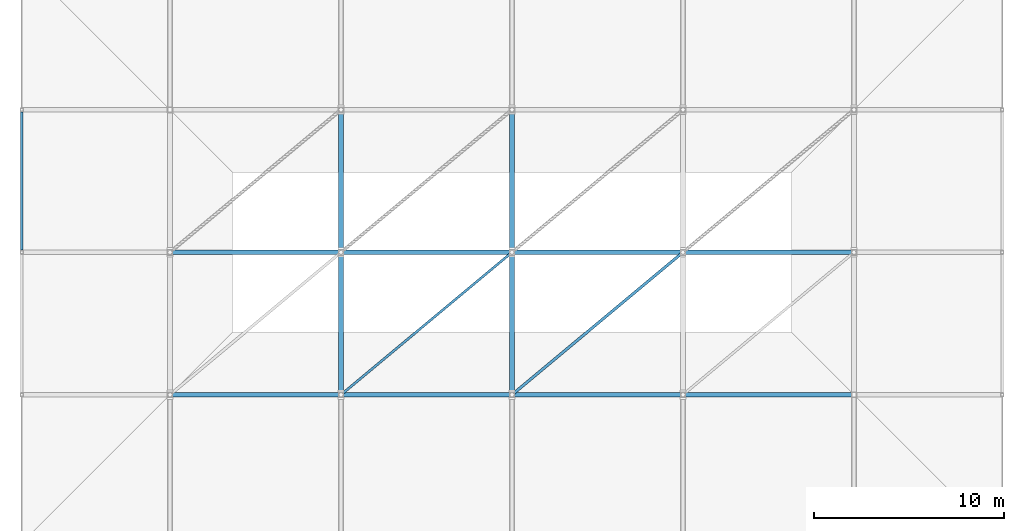
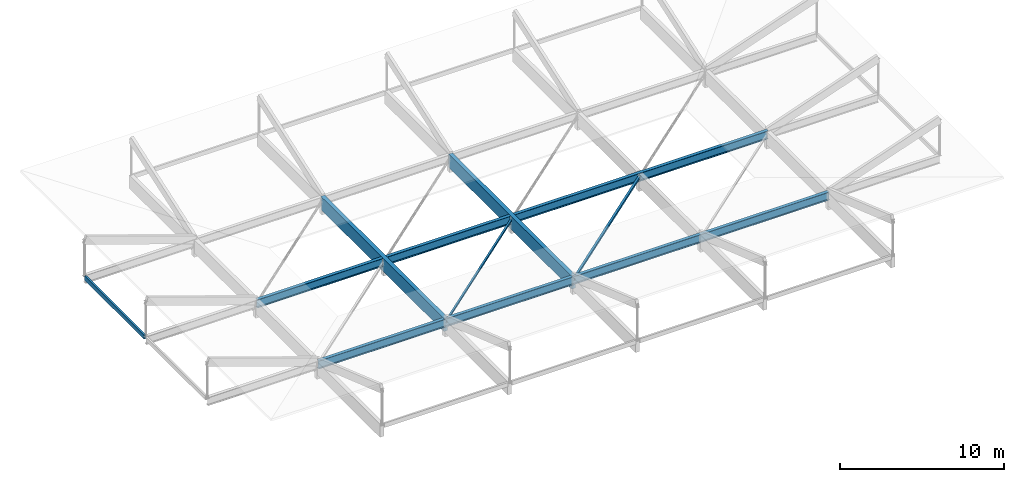
# One storey, part 6 of 19: 5 beams, 2 members.
"""IFC4 building model written with IfcOpenShell, lengths in metres."""

from ifc_helpers import new_model, si_unit, direction, frame, origin, origin_2d, place, context, subcontext, project, spatial, rectangle, hollow_rectangle, i_section, extrude, material, material_profile, profile_set, type_object, element, save


model = new_model("IFC4")

# Units and contexts
model_context = context("Model", 3, precision=1e-05, world=origin(), true_north=direction((0.0, 1.0)))
body_context = subcontext(model_context, "Body", "Model", "MODEL_VIEW")
ifc_project = project(units=[si_unit("LENGTHUNIT", "METRE"), si_unit("AREAUNIT", "SQUARE_METRE"), si_unit("VOLUMEUNIT", "CUBIC_METRE"), si_unit("PLANEANGLEUNIT", "RADIAN"), si_unit("MASSUNIT", "GRAM", prefix="KILO")], contexts=[model_context])

# Site, building, storey
site_placement = place(None, origin())
site = spatial("IfcSite", under=ifc_project, at=site_placement, CompositionType="ELEMENT")
building_placement = place(site_placement, origin())
building = spatial("IfcBuilding", under=site, at=building_placement, Name="Marnridge Secondary College", CompositionType="ELEMENT")
storey_placement = place(building_placement, frame((0.0, 0.0, 23.699951171875)))
storey = spatial("IfcBuildingStorey", under=building, at=storey_placement, Name="Roof Level", CompositionType="ELEMENT", Elevation=23.699951171875)

# Beams
ifc_material_1 = material(Name="Glulam timber GL18", Category="wood")
ifc_material_profile_1 = material_profile(ifc_material_1, rectangle(XDim=0.1298828125, YDim=0.31494140625, at=origin_2d()), Name="GL18 130x315")
ifc_profile_set_1 = profile_set([ifc_material_profile_1], Name="Glulam timber GL18")
beam_type_1 = type_object("IfcBeamType", Name="BM-GL315-EXT", PredefinedType="BEAM", material=ifc_profile_set_1)
beam_placement = place(storey_placement, frame((46.199951171875, 60.1201171875, 1.142578125), z_axis=(0.0, 1.0, 0.0), x_axis=(-1.0, 0.0, 0.0)))
element("IfcBeam", 1, at=beam_placement, inside=storey, type_object=beam_type_1, Name="Beam BCAN-Roo-1502", PredefinedType="BEAM", context=body_context, shape_type="SweptSolid", body=[
    extrude(rectangle(XDim=0.1298828125, YDim=0.31494140625, at=origin_2d()), origin(), (0.0, 0.0, 1.0), 7.259765625),
])
ifc_material_2 = material(Name="Glulam timber GL18", Category="wood")
ifc_material_profile_2 = material_profile(ifc_material_2, rectangle(XDim=0.280029296875, YDim=0.97998046875, at=origin_2d()), Name="GL18 280x980")
ifc_profile_set_2 = profile_set([ifc_material_profile_2], Name="Glulam timber GL18")
beam_type_2 = type_object("IfcBeamType", Name="BM-GL980-EXT", PredefinedType="BEAM", material=ifc_profile_set_2)
for number, where, z_axis, x_axis, name in (
    (2, (63.0, 52.5, 0.81005859375), (0.0, 1.0, 0.0), (-1.0, 0.0, 0.0), "Beam BCAN-Roo-1489"),
    (3, (72.0, 52.5, 0.81005859375), (0.0, 1.0, 0.0), (-1.0, 0.0, 0.0), "Beam BCAN-Roo-1492"),
):
    element("IfcBeam", number, at=place(storey_placement, frame(where, z_axis=z_axis, x_axis=x_axis)), inside=storey, type_object=beam_type_2, Name=name, PredefinedType="BEAM", context=body_context, shape_type="SweptSolid", body=[
        extrude(rectangle(XDim=0.280029296875, YDim=0.97998046875, at=origin_2d()), origin(), (0.0, 0.0, 1.0), 15.0),
    ])
ifc_material_3 = material(Name="Structural steel Grade 350 (AS/NZS 3679.1/.2, fy = 340-360 MPa)", Category="steel")
ifc_material_profile_3 = material_profile(ifc_material_3, i_section(OverallWidth=0.22900390625, OverallDepth=0.611572265625, WebThickness=0.011962890625, FlangeThickness=0.01953125, FilletRadius=0.013916015625, at=origin_2d()), Name="610UB125")
ifc_profile_set_3 = profile_set([ifc_material_profile_3], Name="Structural steel Grade 350 (AS/NZS 3679.1/.2, fy = 340-360 MPa)")
beam_type_3 = type_object("IfcBeamType", Name="BM-UB610-EXT", PredefinedType="BEAM", material=ifc_profile_set_3)
for number, where, z_axis, x_axis, name in (
    (4, (54.0, 52.5, 0.994140625), (1.0, 0.0, 0.0), (0.0, 1.0, 0.0), "Beam BCAN-Roo-1477"),
    (5, (54.0, 60.0, 0.994140625), (1.0, 0.0, 0.0), (0.0, 1.0, 0.0), "Beam BCAN-Roo-1480"),
):
    element("IfcBeam", number, at=place(storey_placement, frame(where, z_axis=z_axis, x_axis=x_axis)), inside=storey, type_object=beam_type_3, Name=name, PredefinedType="BEAM", context=body_context, shape_type="SweptSolid", body=[
        extrude(i_section(OverallWidth=0.22900390625, OverallDepth=0.611572265625, WebThickness=0.011962890625, FlangeThickness=0.01953125, FilletRadius=0.013916015625, at=origin_2d()), origin(), (0.0, 0.0, 1.0), 36.0),
    ])

# Members
ifc_material_4 = material(Name="Cold-formed steel Grade C350L0 (AS/NZS 1163, fy = 350 MPa)", Category="steel")
ifc_material_profile_4 = material_profile(ifc_material_4, hollow_rectangle(XDim=0.125, YDim=0.125, WallThickness=0.006103515625, at=origin_2d()), Name="125x125x6.0SHS")
ifc_profile_set_4 = profile_set([ifc_material_profile_4], Name="Cold-formed steel Grade C350L0 (AS/NZS 1163, fy = 350 MPa)")
member_type_1 = type_object("IfcMemberType", Name="MB-BR-SHS125", PredefinedType="BRACE", material=ifc_profile_set_4)
member_1_placement = place(storey_placement, frame((63.0, 52.5, 1.0), z_axis=(0.768221279597, 0.640184399664, 0.0), x_axis=(-0.640184399664, 0.768221279597, 0.0)))
element("IfcMember", 6, at=member_1_placement, inside=storey, type_object=member_type_1, Name="Lateral brace BR-012", PredefinedType="BRACE", context=body_context, shape_type="SweptSolid", body=[
    extrude(hollow_rectangle(XDim=0.125, YDim=0.125, WallThickness=0.006103515625, at=origin_2d()), origin(), (0.0, 0.0, 1.0), 11.71533203125),
])
ifc_material_5 = material(Name="Cold-formed steel Grade C350L0 (AS/NZS 1163, fy = 350 MPa)", Category="steel")
ifc_material_profile_5 = material_profile(ifc_material_5, hollow_rectangle(XDim=0.14990234375, YDim=0.14990234375, WallThickness=0.009033203125, at=origin_2d()), Name="150x150x9.0SHS")
ifc_profile_set_5 = profile_set([ifc_material_profile_5], Name="Cold-formed steel Grade C350L0 (AS/NZS 1163, fy = 350 MPa)")
member_type_2 = type_object("IfcMemberType", Name="MB-BR-SHS150", PredefinedType="BRACE", material=ifc_profile_set_5)
member_2_placement = place(storey_placement, frame((72.0, 52.5, 1.0), z_axis=(0.768221279597, 0.640184399664, 0.0), x_axis=(-0.640184399664, 0.768221279597, 0.0)))
element("IfcMember", 7, at=member_2_placement, inside=storey, type_object=member_type_2, Name="Lateral brace BR-013", PredefinedType="BRACE", context=body_context, shape_type="SweptSolid", body=[
    extrude(hollow_rectangle(XDim=0.14990234375, YDim=0.14990234375, WallThickness=0.009033203125, at=origin_2d()), origin(), (0.0, 0.0, 1.0), 11.71533203125),
])

save(model, "model.ifc")
